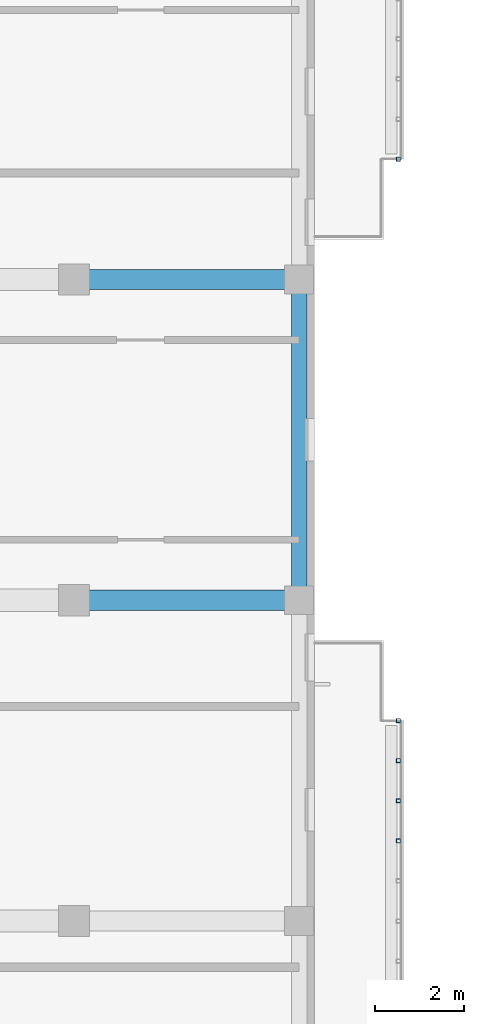
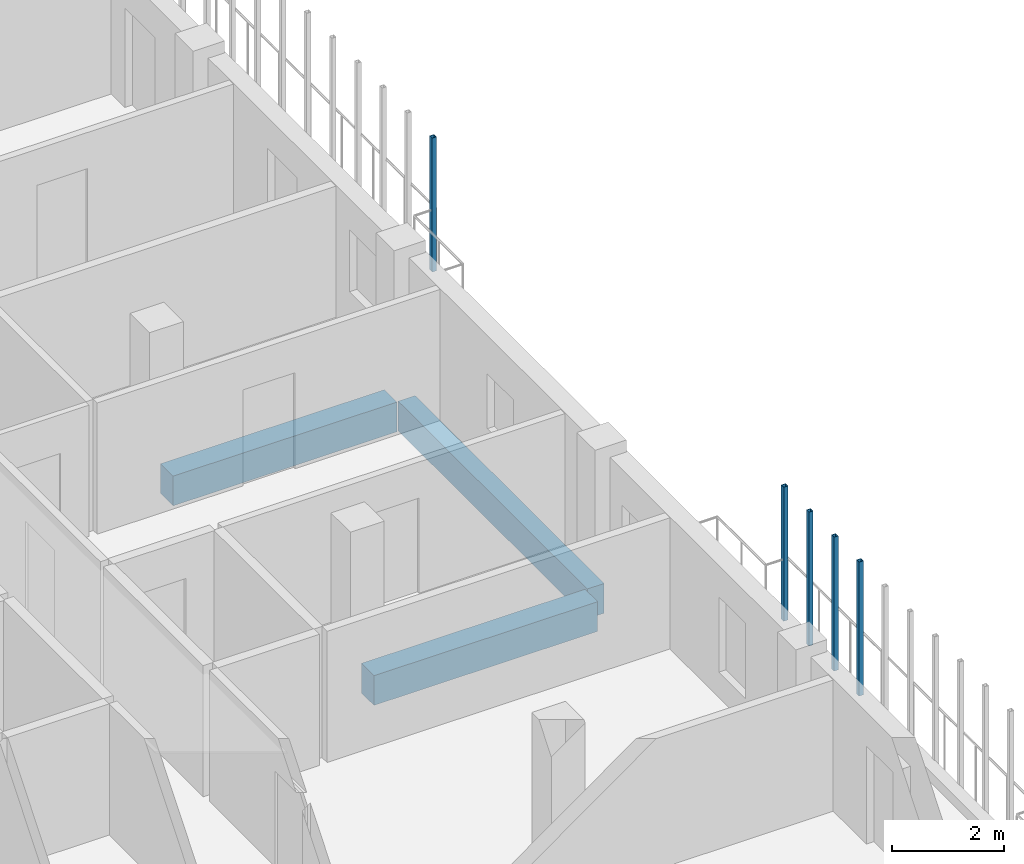
# One storey, part 4 of 51: 5 members, 3 beams.
"""IFC4 building model written with IfcOpenShell, lengths in metres."""

from ifc_helpers import new_model, si_unit, derived_unit, direction, frame, origin, origin_2d, place, context, subcontext, project, spatial, rectangle, hollow_rectangle, extrude, material, material_profile, profile_set, type_object, element, save


model = new_model("IFC4")

# Units and contexts
model_context = context("Model", 3, precision=1e-05, world=origin(), true_north=direction((0.0, 1.0)))
body_context = subcontext(model_context, "Body", "Model", "MODEL_VIEW")
ifc_project = project(units=[si_unit("LENGTHUNIT", "METRE"), si_unit("AREAUNIT", "SQUARE_METRE"), si_unit("VOLUMEUNIT", "CUBIC_METRE"), si_unit("PLANEANGLEUNIT", "RADIAN"), si_unit("MASSUNIT", "GRAM", prefix="KILO"), derived_unit("THERMALTRANSMITTANCEUNIT", [(si_unit("MASSUNIT", "GRAM", prefix="KILO"), 1), (si_unit("TIMEUNIT", "SECOND"), -3), (si_unit("THERMODYNAMICTEMPERATUREUNIT", "KELVIN"), -1)])], contexts=[model_context])

# Site, building, storey
site_placement = place(None, origin())
site = spatial("IfcSite", under=ifc_project, at=site_placement, CompositionType="ELEMENT")
building_placement = place(site_placement, origin())
building = spatial("IfcBuilding", under=site, at=building_placement, Name="Ochrekiln Boulevard Commons", CompositionType="ELEMENT")
storey_placement = place(building_placement, frame((0.0, 0.0, 18.375)))
storey = spatial("IfcBuildingStorey", under=building, at=storey_placement, Name="L05", CompositionType="ELEMENT", Elevation=18.375)

# Beams
ifc_material_1 = material(Name="Concrete C35/45", Category="concrete")
ifc_material_profile_1 = material_profile(ifc_material_1, rectangle(XDim=0.449951171875, YDim=0.64990234375, at=origin_2d()), Name="RC-BM-450x650")
ifc_profile_set_1 = profile_set([ifc_material_profile_1], Name="Concrete C35/45")
beam_type_1 = type_object("IfcBeamType", Name="BM-RC-450x650", PredefinedType="BEAM", material=ifc_profile_set_1)
for number, where, z_axis, x_axis, name in (
    (1, (16.409912109375, 21.60009765625, -0.5849609375), (1.0, 0.0, 0.0), (0.0, 1.0, 0.0), "Block D L05 Beam B-4565 X11"),
    (2, (16.409912109375, 28.800048828125, -0.5849609375), (1.0, 0.0, 0.0), (0.0, 1.0, 0.0), "Block D L05 Beam B-4565 X14"),
):
    element("IfcBeam", number, at=place(storey_placement, frame(where, z_axis=z_axis, x_axis=x_axis)), inside=storey, type_object=beam_type_1, Name=name, PredefinedType="BEAM", context=body_context, shape_type="SweptSolid", body=[
        extrude(rectangle(XDim=0.449951171875, YDim=0.64990234375, at=origin_2d()), origin(), (0.0, 0.0, 1.0), 4.630126953125),
    ])

# Members
ifc_material_2 = material(Name="Steel A500 Grade C", Category="steel")
ifc_material_profile_2 = material_profile(ifc_material_2, hollow_rectangle(XDim=0.090087890625, YDim=0.090087890625, WallThickness=0.00634765625, at=origin_2d()), Name="HSS90X90X6.4")
ifc_profile_set_2 = profile_set([ifc_material_profile_2], Name="Steel A500 Grade C")
member_type = type_object("IfcMemberType", Name="MEM-PST-HSS90", PredefinedType="POST", material=ifc_profile_set_2)
for number, where, z_axis, x_axis, name in (
    (3, (23.47998046875, 16.199951171875, 0.0), (0.0, 0.0, 1.0), (1.0, 0.0, 0.0), "Block D L05 Slim Vertical Balcony Post (382)"),
    (4, (23.47998046875, 17.10009765625, 0.0), (0.0, 0.0, 1.0), (1.0, 0.0, 0.0), "Block D L05 Slim Vertical Balcony Post (383)"),
    (5, (23.47998046875, 18.0, 0.0), (0.0, 0.0, 1.0), (1.0, 0.0, 0.0), "Block D L05 Slim Vertical Balcony Post (384)"),
    (6, (23.47998046875, 18.89990234375, 0.0), (0.0, 0.0, 1.0), (1.0, 0.0, 0.0), "Block D L05 Slim Vertical Balcony Post (385)"),
    (7, (23.47998046875, 31.5, 0.0), (0.0, 0.0, 1.0), (1.0, 0.0, 0.0), "Block D L05 Slim Vertical Balcony Post (386)"),
):
    element("IfcMember", number, at=place(storey_placement, frame(where, z_axis=z_axis, x_axis=x_axis)), inside=storey, type_object=member_type, Name=name, PredefinedType="POST", context=body_context, shape_type="SweptSolid", body=[
        extrude(hollow_rectangle(XDim=0.090087890625, YDim=0.090087890625, WallThickness=0.00634765625, at=origin_2d()), origin(), (0.0, 0.0, 1.0), 2.929931640625),
    ])

# Beam
ifc_material_3 = material(Name="Concrete C40/50", Category="concrete")
ifc_material_profile_3 = material_profile(ifc_material_3, rectangle(XDim=0.35009765625, YDim=0.64990234375, at=origin_2d()), Name="RC-SPN-350x650")
ifc_profile_set_3 = profile_set([ifc_material_profile_3], Name="Concrete C40/50")
beam_type_2 = type_object("IfcBeamType", Name="SPN-RC-350x650", PredefinedType="SPANDREL", material=ifc_profile_set_3)
beam_placement = place(storey_placement, frame((21.25, 21.81005859375, -0.5849609375), z_axis=(0.0, 1.0, 0.0), x_axis=(-1.0, 0.0, 0.0)))
element("IfcBeam", 8, at=beam_placement, inside=storey, type_object=beam_type_2, Name="Block D L05 Beam SP-3565 Y33", PredefinedType="SPANDREL", context=body_context, shape_type="SweptSolid", body=[
    extrude(rectangle(XDim=0.35009765625, YDim=0.64990234375, at=origin_2d()), origin(), (0.0, 0.0, 1.0), 6.780029296875),
])

save(model, "model.ifc")
